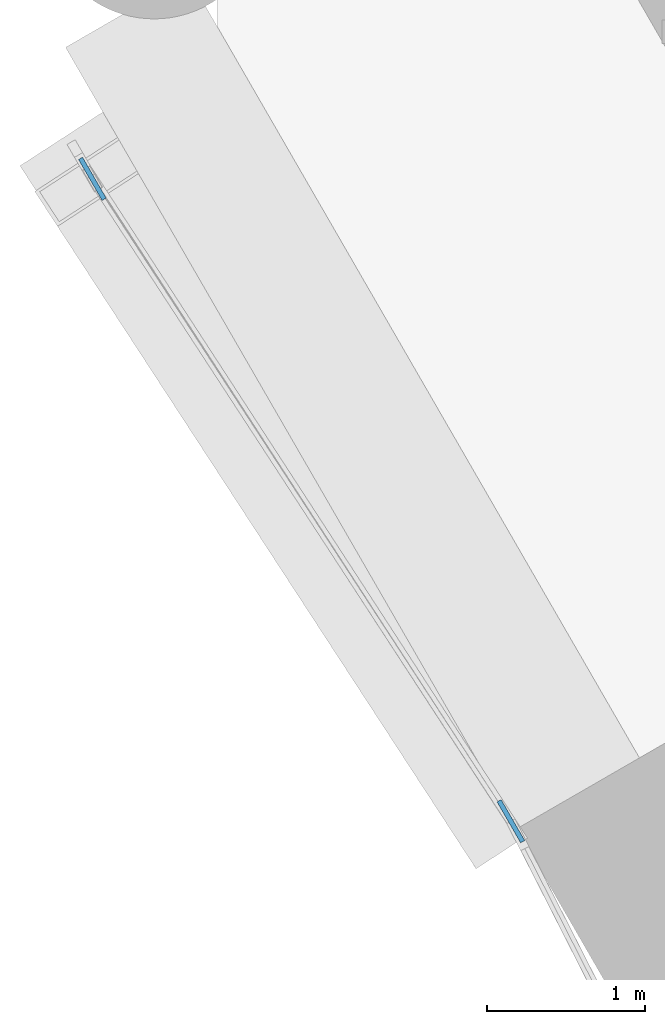
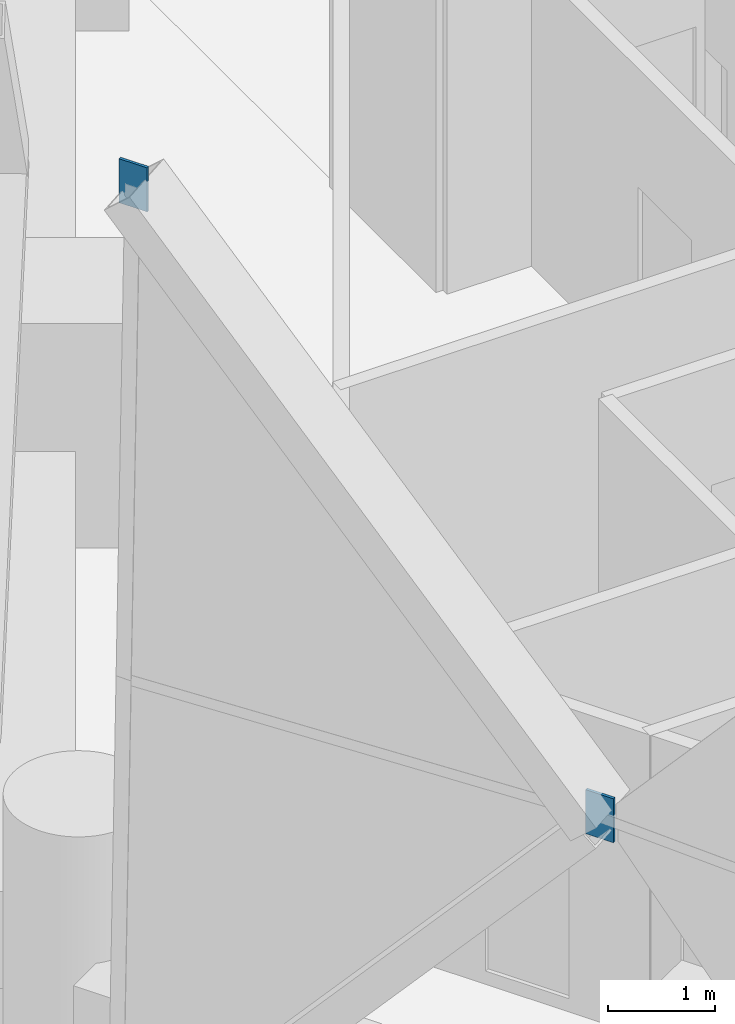
# One storey, part 31 of 35: 2 discrete accessories.
"""IFC4 building model written with IfcOpenShell, lengths in metres."""

from ifc_helpers import new_model, si_unit, direction, frame, origin, origin_2d, place, context, subcontext, project, spatial, rectangle, extrude, material, layer, layer_set, type_object, element, save


model = new_model("IFC4")

# Units and contexts
model_context = context("Model", 3, precision=1e-05, world=origin(), true_north=direction((0.0, 1.0)))
body_context = subcontext(model_context, "Body", "Model", "MODEL_VIEW")
ifc_project = project(units=[si_unit("LENGTHUNIT", "METRE"), si_unit("AREAUNIT", "SQUARE_METRE"), si_unit("VOLUMEUNIT", "CUBIC_METRE"), si_unit("PLANEANGLEUNIT", "RADIAN"), si_unit("MASSUNIT", "GRAM", prefix="KILO")], contexts=[model_context])

# Site, building, storey
site_placement = place(None, origin())
site = spatial("IfcSite", under=ifc_project, at=site_placement, CompositionType="ELEMENT")
building_placement = place(site_placement, origin())
building = spatial("IfcBuilding", under=site, at=building_placement, Name="Ostrander Bayou Hotel Tower", CompositionType="ELEMENT")
storey_placement = place(building_placement, frame((0.0, 0.0, 69.25)))
storey = spatial("IfcBuildingStorey", under=building, at=storey_placement, Name="L17", CompositionType="ELEMENT", Elevation=69.25)

# Discrete accessories
ifc_material = material(Name="Steel ASTM A572 Gr 50", Category="steel")
ifc_layer = layer(ifc_material, 0.030029296875)
ifc_layer_set = layer_set([ifc_layer], Name="GP1 gusset plate 30 mm")
discrete_accessory_type = type_object("IfcDiscreteAccessoryType", Name="GP1 gusset plate 30 mm", PredefinedType="BRACKET", material=ifc_layer_set)
for number, where, z_axis, x_axis, name in (
    (1, (-21.364013671875, -6.6123046875, 4.77490234375), (0.0, 0.0, 1.0), (0.5, -0.866025403784, 0.0), "GP1 gusset plate lat 126"),
    (2, (-24.021484375, -2.533447265625, 10.39990234375), (0.0, 0.0, 1.0), (0.5, -0.866025403784, 0.0), "GP1 gusset plate lat 127"),
):
    element("IfcDiscreteAccessory", number, at=place(storey_placement, frame(where, z_axis=z_axis, x_axis=x_axis)), inside=storey, type_object=discrete_accessory_type, Name=name, PredefinedType="BRACKET", context=body_context, shape_type="SweptSolid", body=[
        extrude(rectangle(XDim=0.300048828125, YDim=0.030029296875, at=origin_2d()), origin(), (0.0, 0.0, 1.0), 0.5),
    ])

save(model, "model.ifc")
